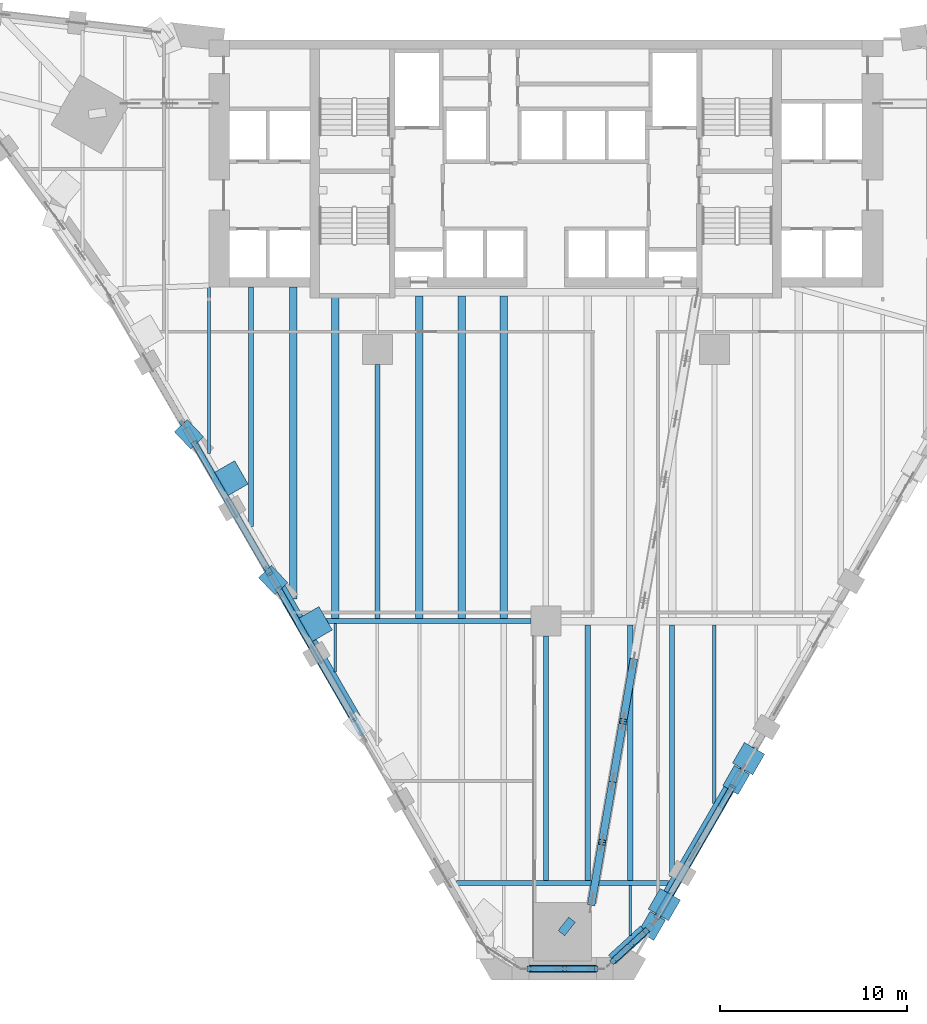
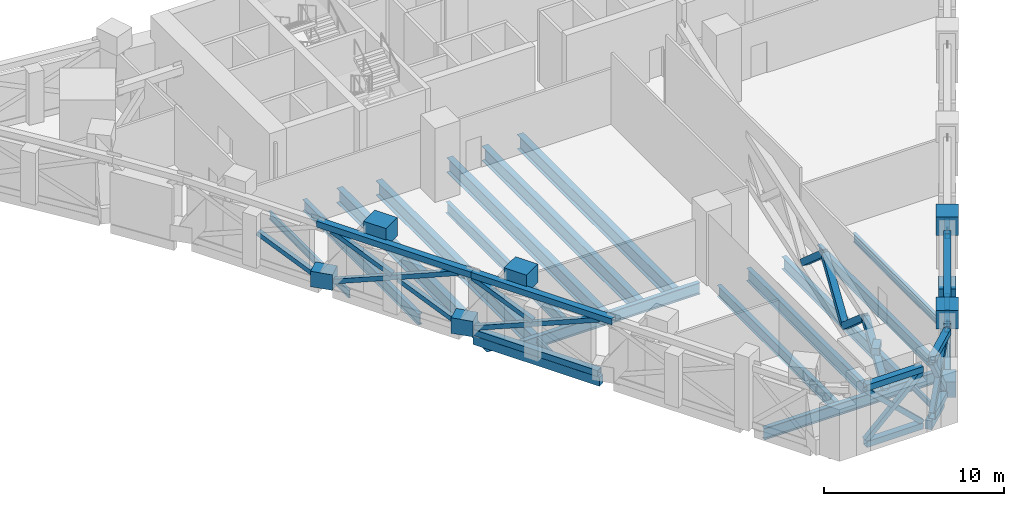
# One storey, part 2 of 22: 29 beams, 29 members.
"""IFC4 building model written with IfcOpenShell, lengths in metres."""

from ifc_helpers import new_model, si_unit, direction, frame, origin, origin_2d, place, context, subcontext, project, spatial, rectangle, hollow_rectangle, i_section, extrude, material, material_profile, profile_set, type_object, element, save


model = new_model("IFC4")

# Units and contexts
model_context = context("Model", 3, precision=1e-05, world=origin(), true_north=direction((0.0, 1.0)))
body_context = subcontext(model_context, "Body", "Model", "MODEL_VIEW")
ifc_project = project(units=[si_unit("LENGTHUNIT", "METRE"), si_unit("AREAUNIT", "SQUARE_METRE"), si_unit("VOLUMEUNIT", "CUBIC_METRE"), si_unit("PLANEANGLEUNIT", "RADIAN"), si_unit("MASSUNIT", "GRAM", prefix="KILO")], contexts=[model_context])

# Site, building, storey
site_placement = place(None, origin())
site = spatial("IfcSite", under=ifc_project, at=site_placement, CompositionType="ELEMENT")
building_placement = place(site_placement, origin())
building = spatial("IfcBuilding", under=site, at=building_placement, Name="Calabash Gate Tower", CompositionType="ELEMENT")
storey_placement = place(building_placement, frame((0.0, 0.0, 86.800048828125)))
storey = spatial("IfcBuildingStorey", under=building, at=storey_placement, Name="L18", CompositionType="ELEMENT", Elevation=86.800048828125)

# Members
ifc_material_1 = material(Name="Steel ASTM A500 Gr C", Category="steel")
ifc_material_profile_1 = material_profile(ifc_material_1, hollow_rectangle(XDim=0.406494140625, YDim=0.406494140625, WallThickness=0.015869140625, at=origin_2d()))
ifc_profile_set_1 = profile_set([ifc_material_profile_1], Name="Steel ASTM A500 Gr C")
member_type_1 = type_object("IfcMemberType", Name="Belt truss chord HSS16X16X.625 ASTM A500 Gr C", PredefinedType="CHORD", material=ifc_profile_set_1)
member_1_placement = place(storey_placement, frame((-19.237060546875, -1.68603515625, 4.02685546875), z_axis=(0.500018169231, -0.86601491352, 0.0), x_axis=(0.86601491352, 0.500018169231, 0.0)))
element("IfcMember", 1, at=member_1_placement, inside=storey, type_object=member_type_1, Name="Belt chord L18 2", PredefinedType="CHORD", context=body_context, shape_type="SweptSolid", body=[
    extrude(hollow_rectangle(XDim=0.406494140625, YDim=0.406494140625, WallThickness=0.015869140625, at=origin_2d()), origin(), (0.0, 0.0, 1.0), 9.909912109375),
])
member_2_placement = place(storey_placement, frame((-14.2841796875, -10.263916015625, 0.203125), z_axis=(0.499999880539, -0.866025472755, 0.0), x_axis=(0.866025472755, 0.499999880539, 0.0)))
element("IfcMember", 2, at=member_2_placement, inside=storey, type_object=member_type_1, Name="Belt chord L18 6", PredefinedType="CHORD", context=body_context, shape_type="SweptSolid", body=[
    extrude(hollow_rectangle(XDim=0.406494140625, YDim=0.406494140625, WallThickness=0.015869140625, at=origin_2d()), origin(), (0.0, 0.0, 1.0), 8.10009765625),
])
member_3_placement = place(storey_placement, frame((-14.2841796875, -10.263916015625, 4.02685546875), z_axis=(0.499950094658, -0.86605421473, 0.0), x_axis=(0.86605421473, 0.499950094658, 0.0)))
element("IfcMember", 3, at=member_3_placement, inside=storey, type_object=member_type_1, Name="Belt chord L18 7", PredefinedType="CHORD", context=body_context, shape_type="SweptSolid", body=[
    extrude(hollow_rectangle(XDim=0.406494140625, YDim=0.406494140625, WallThickness=0.015869140625, at=origin_2d()), origin(), (0.0, 0.0, 1.0), 9.00537109375),
])
for number, where, z_axis, x_axis, name in (
    (4, (-0.905029296875, -30.573974609375, 0.203125), (1.0, 0.0, 0.0), (0.0, 1.0, 0.0), "Belt chord L18 26"),
    (5, (-0.905029296875, -30.573974609375, 4.02685546875), (1.0, 0.0, 0.0), (0.0, 1.0, 0.0), "Belt chord L18 27"),
):
    element("IfcMember", number, at=place(storey_placement, frame(where, z_axis=z_axis, x_axis=x_axis)), inside=storey, type_object=member_type_1, Name=name, PredefinedType="CHORD", context=body_context, shape_type="SweptSolid", body=[
        extrude(hollow_rectangle(XDim=0.406494140625, YDim=0.406494140625, WallThickness=0.015869140625, at=origin_2d()), origin(), (0.0, 0.0, 1.0), 3.60009765625),
    ])
member_4_placement = place(storey_placement, frame((3.594970703125, -30.161865234375, 0.203125), z_axis=(0.737520412128, 0.675324841609, 0.0), x_axis=(-0.675324841609, 0.737520412128, 0.0)))
element("IfcMember", 6, at=member_4_placement, inside=storey, type_object=member_type_1, Name="Belt chord L18 31", PredefinedType="CHORD", context=body_context, shape_type="SweptSolid", body=[
    extrude(hollow_rectangle(XDim=0.406494140625, YDim=0.406494140625, WallThickness=0.015869140625, at=origin_2d()), origin(), (0.0, 0.0, 1.0), 2.378662109375),
])
member_5_placement = place(storey_placement, frame((3.594970703125, -30.161865234375, 4.02685546875), z_axis=(0.737416676867, 0.675438113138, 0.0), x_axis=(-0.675438113138, 0.737416676867, 0.0)))
element("IfcMember", 7, at=member_5_placement, inside=storey, type_object=member_type_1, Name="Belt chord L18 32", PredefinedType="CHORD", context=body_context, shape_type="SweptSolid", body=[
    extrude(hollow_rectangle(XDim=0.406494140625, YDim=0.406494140625, WallThickness=0.015869140625, at=origin_2d()), origin(), (0.0, 0.0, 1.0), 2.85595703125),
])
member_6_placement = place(storey_placement, frame((5.92236328125, -27.84716796875, 0.203125), z_axis=(0.499999880539, 0.866025472755, 0.0), x_axis=(-0.866025472755, 0.499999880539, 0.0)))
element("IfcMember", 8, at=member_6_placement, inside=storey, type_object=member_type_1, Name="Belt chord L18 36", PredefinedType="CHORD", context=body_context, shape_type="SweptSolid", body=[
    extrude(hollow_rectangle(XDim=0.406494140625, YDim=0.406494140625, WallThickness=0.015869140625, at=origin_2d()), origin(), (0.0, 0.0, 1.0), 8.10009765625),
])
member_7_placement = place(storey_placement, frame((5.92236328125, -27.84716796875, 4.02685546875), z_axis=(0.500200361955, 0.865909693848, 0.0), x_axis=(-0.865909693848, 0.500200361955, 0.0)))
element("IfcMember", 9, at=member_7_placement, inside=storey, type_object=member_type_1, Name="Belt chord L18 37", PredefinedType="CHORD", context=body_context, shape_type="SweptSolid", body=[
    extrude(hollow_rectangle(XDim=0.406494140625, YDim=0.406494140625, WallThickness=0.015869140625, at=origin_2d()), origin(), (0.0, 0.0, 1.0), 9.005615234375),
])
ifc_material_2 = material(Name="Steel ASTM A500 Gr C", Category="steel")
ifc_material_profile_2 = material_profile(ifc_material_2, hollow_rectangle(XDim=0.3046875, YDim=0.3046875, WallThickness=0.0126953125, at=origin_2d()))
ifc_profile_set_2 = profile_set([ifc_material_profile_2], Name="Steel ASTM A500 Gr C")
member_type_2 = type_object("IfcMemberType", Name="Belt truss diagonal HSS12X12X.500 ASTM A500 Gr C", PredefinedType="BRACE", material=ifc_profile_set_2)
member_8_placement = place(storey_placement, frame((-18.7841796875, -2.4697265625, 0.40625), z_axis=(0.460681831643, -0.797924592719, 0.388701163272), x_axis=(0.866025472755, 0.499999880539, 0.0)))
element("IfcMember", 10, at=member_8_placement, inside=storey, type_object=member_type_2, Name="Belt diagonal L18 3", PredefinedType="BRACE", context=body_context, shape_type="SweptSolid", body=[
    extrude(hollow_rectangle(XDim=0.3046875, YDim=0.3046875, WallThickness=0.0126953125, at=origin_2d()), origin(), (0.0, 0.0, 1.0), 8.79150390625),
])
for number, where, z_axis, x_axis, name in (
    (11, (-18.7841796875, -2.4697265625, 3.823486328125), (0.460691244837, -0.797936146986, -0.388666286503), (0.866024183959, 0.500002112793, 0.0), "Belt diagonal (split) L18 4 half 1 of 2"),
    (12, (-16.6611328125, -6.14697265625, 2.0322265625), (0.460680793484, -0.797918044814, -0.388715834866), (0.866024183959, 0.500002112793, 0.0), "Belt diagonal (split) L18 5 half 2 of 2"),
):
    element("IfcMember", number, at=place(storey_placement, frame(where, z_axis=z_axis, x_axis=x_axis)), inside=storey, type_object=member_type_2, Name=name, PredefinedType="BRACE", context=body_context, shape_type="SweptSolid", body=[
        extrude(hollow_rectangle(XDim=0.3046875, YDim=0.3046875, WallThickness=0.0126953125, at=origin_2d()), origin(), (0.0, 0.0, 1.0), 4.182861328125),
    ])
member_9_placement = place(storey_placement, frame((-14.2841796875, -10.263916015625, 0.40625), z_axis=(0.460681831643, -0.797924592719, 0.388701163272), x_axis=(0.866025472755, 0.499999880539, 0.0)))
element("IfcMember", 13, at=member_9_placement, inside=storey, type_object=member_type_2, Name="Belt diagonal L18 8", PredefinedType="BRACE", context=body_context, shape_type="SweptSolid", body=[
    extrude(hollow_rectangle(XDim=0.3046875, YDim=0.3046875, WallThickness=0.0126953125, at=origin_2d()), origin(), (0.0, 0.0, 1.0), 8.79150390625),
])
member_10_placement = place(storey_placement, frame((-14.2841796875, -10.263916015625, 3.823486328125), z_axis=(0.460691244837, -0.797936146986, -0.388666286503), x_axis=(0.866024183959, 0.500002112793, 0.0)))
element("IfcMember", 14, at=member_10_placement, inside=storey, type_object=member_type_2, Name="Belt diagonal (split) L18 9 half 1 of 2", PredefinedType="BRACE", context=body_context, shape_type="SweptSolid", body=[
    extrude(hollow_rectangle(XDim=0.3046875, YDim=0.3046875, WallThickness=0.0126953125, at=origin_2d()), origin(), (0.0, 0.0, 1.0), 4.182861328125),
])
member_11_placement = place(storey_placement, frame((-0.905029296875, -30.573974609375, 0.40625), z_axis=(0.725286726516, 0.0, 0.688446921948), x_axis=(0.0, 1.0, 0.0)))
element("IfcMember", 15, at=member_11_placement, inside=storey, type_object=member_type_2, Name="Belt diagonal L18 28", PredefinedType="BRACE", context=body_context, shape_type="SweptSolid", body=[
    extrude(hollow_rectangle(XDim=0.3046875, YDim=0.3046875, WallThickness=0.0126953125, at=origin_2d()), origin(), (0.0, 0.0, 1.0), 4.963623046875),
])
member_12_placement = place(storey_placement, frame((-0.905029296875, -30.573974609375, 3.823486328125), z_axis=(0.725263708059, 0.0, -0.688471171344), x_axis=(0.0, 1.0, 0.0)))
element("IfcMember", 16, at=member_12_placement, inside=storey, type_object=member_type_2, Name="Belt diagonal (split) L18 29 half 1 of 2", PredefinedType="BRACE", context=body_context, shape_type="SweptSolid", body=[
    extrude(hollow_rectangle(XDim=0.3046875, YDim=0.3046875, WallThickness=0.0126953125, at=origin_2d()), origin(), (0.0, 0.0, 1.0), 2.3291015625),
])
member_13_placement = place(storey_placement, frame((1.005615234375, -30.573974609375, 2.010009765625), z_axis=(0.725261053242, 0.0, -0.688473968027), x_axis=(0.0, 1.0, 0.0)))
element("IfcMember", 17, at=member_13_placement, inside=storey, type_object=member_type_2, Name="Belt diagonal (split) L18 30 half 2 of 2", PredefinedType="BRACE", context=body_context, shape_type="SweptSolid", body=[
    extrude(hollow_rectangle(XDim=0.3046875, YDim=0.3046875, WallThickness=0.0126953125, at=origin_2d()), origin(), (0.0, 0.0, 1.0), 2.329345703125),
])
member_14_placement = place(storey_placement, frame((3.594970703125, -30.161865234375, 0.40625), z_axis=(0.421358664134, 0.385825217089, 0.820728809058), x_axis=(-0.675324841609, 0.737520412128, 0.0)))
element("IfcMember", 18, at=member_14_placement, inside=storey, type_object=member_type_2, Name="Belt diagonal L18 33", PredefinedType="BRACE", context=body_context, shape_type="SweptSolid", body=[
    extrude(hollow_rectangle(XDim=0.3046875, YDim=0.3046875, WallThickness=0.0126953125, at=origin_2d()), origin(), (0.0, 0.0, 1.0), 4.16357421875),
])
for number, where, z_axis, x_axis, name in (
    (19, (3.594970703125, -30.161865234375, 3.823486328125), (0.421420235604, 0.385803674792, -0.820707322704), (-0.675250655342, 0.737588335361, 0.0), "Belt diagonal (split) L18 34 half 1 of 2"),
    (20, (4.540771484375, -29.2958984375, 1.981689453125), (0.421271630893, 0.38578407503, -0.820792824322), (-0.675361550628, 0.737486797125, 0.0), "Belt diagonal (split) L18 35 half 2 of 2"),
):
    element("IfcMember", number, at=place(storey_placement, frame(where, z_axis=z_axis, x_axis=x_axis)), inside=storey, type_object=member_type_2, Name=name, PredefinedType="BRACE", context=body_context, shape_type="SweptSolid", body=[
        extrude(hollow_rectangle(XDim=0.3046875, YDim=0.3046875, WallThickness=0.0126953125, at=origin_2d()), origin(), (0.0, 0.0, 1.0), 1.91943359375),
    ])
member_15_placement = place(storey_placement, frame((5.92236328125, -27.84716796875, 0.40625), z_axis=(0.460681831643, 0.797924592719, 0.388701163272), x_axis=(-0.866025472755, 0.499999880539, 0.0)))
element("IfcMember", 21, at=member_15_placement, inside=storey, type_object=member_type_2, Name="Belt diagonal L18 38", PredefinedType="BRACE", context=body_context, shape_type="SweptSolid", body=[
    extrude(hollow_rectangle(XDim=0.3046875, YDim=0.3046875, WallThickness=0.0126953125, at=origin_2d()), origin(), (0.0, 0.0, 1.0), 8.79150390625),
])
for number, where, z_axis, x_axis, name in (
    (22, (5.92236328125, -27.84716796875, 3.823486328125), (0.460691244837, 0.797936146986, -0.388666286503), (-0.866024183959, 0.500002112793, 0.0), "Belt diagonal (split) L18 39 half 1 of 2"),
    (23, (8.04541015625, -24.169921875, 2.0322265625), (0.460680793484, 0.797918044814, -0.388715834866), (-0.866024183959, 0.500002112793, 0.0), "Belt diagonal (split) L18 40 half 2 of 2"),
):
    element("IfcMember", number, at=place(storey_placement, frame(where, z_axis=z_axis, x_axis=x_axis)), inside=storey, type_object=member_type_2, Name=name, PredefinedType="BRACE", context=body_context, shape_type="SweptSolid", body=[
        extrude(hollow_rectangle(XDim=0.3046875, YDim=0.3046875, WallThickness=0.0126953125, at=origin_2d()), origin(), (0.0, 0.0, 1.0), 4.182861328125),
    ])
member_16_placement = place(storey_placement, frame((10.42236328125, -20.052734375, 3.823486328125), z_axis=(0.460712701412, 0.797914940872, -0.388684388535), x_axis=(-0.866008345638, 0.500029544413, 0.0)))
element("IfcMember", 24, at=member_16_placement, inside=storey, type_object=member_type_2, Name="Belt diagonal (split) L18 44 half 1 of 2", PredefinedType="BRACE", context=body_context, shape_type="SweptSolid", body=[
    extrude(hollow_rectangle(XDim=0.3046875, YDim=0.3046875, WallThickness=0.0126953125, at=origin_2d()), origin(), (0.0, 0.0, 1.0), 4.1826171875),
])
member_17_placement = place(storey_placement, frame((-21.1611328125, 1.647216796875, 2.0322265625), z_axis=(0.460680793484, -0.797918044814, -0.388715834866), x_axis=(0.866024183959, 0.500002112793, 0.0)))
element("IfcMember", 25, at=member_17_placement, inside=storey, type_object=member_type_2, Name="Belt diagonal (split) L18 115 half 2 of 2", PredefinedType="BRACE", context=body_context, shape_type="SweptSolid", body=[
    extrude(hollow_rectangle(XDim=0.3046875, YDim=0.3046875, WallThickness=0.0126953125, at=origin_2d()), origin(), (0.0, 0.0, 1.0), 4.182861328125),
])

# Beams
ifc_material_3 = material(Name="Concrete C80/95", Category="concrete")
ifc_material_profile_3 = material_profile(ifc_material_3, rectangle(XDim=0.449951171875, YDim=0.449951171875, at=origin_2d()))
ifc_profile_set_3 = profile_set([ifc_material_profile_3], Name="Concrete C80/95")
beam_type_1 = type_object("IfcBeamType", Name="Column offset link RC 450x450 Concrete C80/95", PredefinedType="BEAM", material=ifc_profile_set_3)
beam_1_placement = place(storey_placement, frame((0.8330078125, -28.674072265625, 4.60400390625), z_axis=(0.618126652956, 0.786078520827, 0.0), x_axis=(-0.786078520827, 0.618126652956, 0.0)))
element("IfcBeam", 26, at=beam_1_placement, inside=storey, type_object=beam_type_1, Name="Column offset link L18 S", PredefinedType="BEAM", context=body_context, shape_type="SweptSolid", body=[
    extrude(rectangle(XDim=0.449951171875, YDim=0.449951171875, at=origin_2d()), origin(), (0.0, 0.0, 1.0), 0.918701171875),
])
ifc_material_4 = material(Name="Concrete C60/75", Category="concrete")
ifc_material_profile_4 = material_profile(ifc_material_4, rectangle(XDim=0.39990234375, YDim=0.60009765625, at=origin_2d()))
ifc_profile_set_4 = profile_set([ifc_material_profile_4], Name="Concrete C60/75")
beam_type_2 = type_object("IfcBeamType", Name="Edge beam RC 400x600 Concrete C60/75", PredefinedType="BEAM", material=ifc_profile_set_4)
beam_2_placement = place(storey_placement, frame((-14.111083984375, -10.1640625, -0.469970703125), z_axis=(0.499999880539, -0.866025472755, 0.0), x_axis=(0.866025472755, 0.499999880539, 0.0)))
element("IfcBeam", 27, at=beam_2_placement, inside=storey, type_object=beam_type_2, Name="Edge beam L18 2", PredefinedType="BEAM", context=body_context, shape_type="SweptSolid", body=[
    extrude(rectangle(XDim=0.39990234375, YDim=0.60009765625, at=origin_2d()), origin(), (0.0, 0.0, 1.0), 8.10009765625),
])
beam_3_placement = place(storey_placement, frame((3.47998046875, -29.99609375, -0.469970703125), z_axis=(0.737416154343, 0.675438683608, 0.0), x_axis=(-0.675438683608, 0.737416154343, 0.0)))
element("IfcBeam", 28, at=beam_3_placement, inside=storey, type_object=beam_type_2, Name="Edge beam L18 6", PredefinedType="BEAM", context=body_context, shape_type="SweptSolid", body=[
    extrude(rectangle(XDim=0.39990234375, YDim=0.60009765625, at=origin_2d()), origin(), (0.0, 0.0, 1.0), 2.320068359375),
])
beam_4_placement = place(storey_placement, frame((5.7490234375, -27.7470703125, -0.469970703125), z_axis=(0.499986829629, 0.866033007568, 0.0), x_axis=(-0.866033007568, 0.499986829629, 0.0)))
element("IfcBeam", 29, at=beam_4_placement, inside=storey, type_object=beam_type_2, Name="Edge beam L18 7", PredefinedType="BEAM", context=body_context, shape_type="SweptSolid", body=[
    extrude(rectangle(XDim=0.39990234375, YDim=0.60009765625, at=origin_2d()), origin(), (0.0, 0.0, 1.0), 8.100341796875),
])
ifc_material_5 = material(Name="Steel ASTM A992 Gr50", Category="steel")
ifc_material_profile_5 = material_profile(ifc_material_5, i_section(OverallWidth=0.1396484375, OverallDepth=0.398681640625, WebThickness=0.00634765625, FlangeThickness=0.0087890625, FilletRadius=0.01025390625, at=origin_2d()))
ifc_profile_set_5 = profile_set([ifc_material_profile_5], Name="Steel ASTM A992 Gr50")
beam_type_3 = type_object("IfcBeamType", Name="Floor beam W16x26 ASTM A992 Gr50", PredefinedType="BEAM", material=ifc_profile_set_5)
beam_5_placement = place(storey_placement, frame((-11.25, -14.73095703125, -0.369140625), z_axis=(0.0, 1.0, 0.0), x_axis=(-1.0, 0.0, 0.0)))
element("IfcBeam", 30, at=beam_5_placement, inside=storey, type_object=beam_type_3, Name="Floor beam L18 13", PredefinedType="BEAM", context=body_context, shape_type="SweptSolid", body=[
    extrude(i_section(OverallWidth=0.1396484375, OverallDepth=0.398681640625, WebThickness=0.00634765625, FlangeThickness=0.0087890625, FilletRadius=0.01025390625, at=origin_2d()), origin(), (0.0, 0.0, 1.0), 2.597900390625),
])
beam_6_placement = place(storey_placement, frame((4.5, -28.802978515625, -0.369140625), z_axis=(0.0, 1.0, 0.0), x_axis=(-1.0, 0.0, 0.0)))
element("IfcBeam", 31, at=beam_6_placement, inside=storey, type_object=beam_type_3, Name="Floor beam L18 29", PredefinedType="BEAM", context=body_context, shape_type="SweptSolid", body=[
    extrude(i_section(OverallWidth=0.1396484375, OverallDepth=0.398681640625, WebThickness=0.00634765625, FlangeThickness=0.0087890625, FilletRadius=0.01025390625, at=origin_2d()), origin(), (0.0, 0.0, 1.0), 2.669921875),
])
ifc_material_6 = material(Name="Steel ASTM A992 Gr50", Category="steel")
ifc_material_profile_6 = material_profile(ifc_material_6, i_section(OverallWidth=0.166015625, OverallDepth=0.5283203125, WebThickness=0.009765625, FlangeThickness=0.013671875, FilletRadius=0.0126953125, at=origin_2d()))
ifc_profile_set_6 = profile_set([ifc_material_profile_6], Name="Steel ASTM A992 Gr50")
beam_type_4 = type_object("IfcBeamType", Name="Floor beam W21x50 ASTM A992 Gr50", PredefinedType="BEAM", material=ifc_profile_set_6)
beam_7_placement = place(storey_placement, frame((-18.0, -3.0400390625, -0.43408203125), z_axis=(0.0, 1.0, 0.0), x_axis=(-1.0, 0.0, 0.0)))
element("IfcBeam", 32, at=beam_7_placement, inside=storey, type_object=beam_type_4, Name="Floor beam L18 10", PredefinedType="BEAM", context=body_context, shape_type="SweptSolid", body=[
    extrude(i_section(OverallWidth=0.166015625, OverallDepth=0.5283203125, WebThickness=0.009765625, FlangeThickness=0.013671875, FilletRadius=0.0126953125, at=origin_2d()), origin(), (0.0, 0.0, 1.0), 8.85302734375),
])
ifc_material_7 = material(Name="Steel ASTM A992 Gr50", Category="steel")
ifc_material_profile_7 = material_profile(ifc_material_7, i_section(OverallWidth=0.1787109375, OverallDepth=0.60205078125, WebThickness=0.010986328125, FlangeThickness=0.014892578125, FilletRadius=0.0126953125, at=origin_2d()))
ifc_profile_set_7 = profile_set([ifc_material_profile_7], Name="Steel ASTM A992 Gr50")
beam_type_5 = type_object("IfcBeamType", Name="Floor beam W24x62 ASTM A992 Gr50", PredefinedType="BEAM", material=ifc_profile_set_7)
beam_8_placement = place(storey_placement, frame((9.0, -21.7490234375, -0.470947265625), z_axis=(0.0, 1.0, 0.0), x_axis=(-1.0, 0.0, 0.0)))
element("IfcBeam", 33, at=beam_8_placement, inside=storey, type_object=beam_type_5, Name="Floor beam L18 34", PredefinedType="BEAM", context=body_context, shape_type="SweptSolid", body=[
    extrude(i_section(OverallWidth=0.1787109375, OverallDepth=0.60205078125, WebThickness=0.010986328125, FlangeThickness=0.014892578125, FilletRadius=0.0126953125, at=origin_2d()), origin(), (0.0, 0.0, 1.0), 9.550048828125),
])
ifc_material_8 = material(Name="Steel ASTM A992 Gr50", Category="steel")
ifc_material_profile_8 = material_profile(ifc_material_8, i_section(OverallWidth=0.2666015625, OverallDepth=0.7568359375, WebThickness=0.013916015625, FlangeThickness=0.019287109375, FilletRadius=0.0166015625, at=origin_2d()))
ifc_profile_set_8 = profile_set([ifc_material_profile_8], Name="Steel ASTM A992 Gr50")
beam_type_6 = type_object("IfcBeamType", Name="Floor beam W30x108 ASTM A992 Gr50", PredefinedType="BEAM", material=ifc_profile_set_8)
beam_9_placement = place(storey_placement, frame((-15.75, -6.95703125, -0.548095703125), z_axis=(0.0, 1.0, 0.0), x_axis=(-1.0, 0.0, 0.0)))
element("IfcBeam", 34, at=beam_9_placement, inside=storey, type_object=beam_type_6, Name="Floor beam L18 11", PredefinedType="BEAM", context=body_context, shape_type="SweptSolid", body=[
    extrude(i_section(OverallWidth=0.2666015625, OverallDepth=0.7568359375, WebThickness=0.013916015625, FlangeThickness=0.019287109375, FilletRadius=0.0166015625, at=origin_2d()), origin(), (0.0, 0.0, 1.0), 12.81005859375),
])
beam_10_placement = place(storey_placement, frame((-9.0, -11.866943359375, -0.548095703125), z_axis=(0.0, 1.0, 0.0), x_axis=(-1.0, 0.0, 0.0)))
element("IfcBeam", 35, at=beam_10_placement, inside=storey, type_object=beam_type_6, Name="Floor beam L18 16", PredefinedType="BEAM", context=body_context, shape_type="SweptSolid", body=[
    extrude(i_section(OverallWidth=0.2666015625, OverallDepth=0.7568359375, WebThickness=0.013916015625, FlangeThickness=0.019287109375, FilletRadius=0.0166015625, at=origin_2d()), origin(), (0.0, 0.0, 1.0), 13.56689453125),
])
beam_11_placement = place(storey_placement, frame((0.0, -25.866943359375, -0.548095703125), z_axis=(0.0, 1.0, 0.0), x_axis=(-1.0, 0.0, 0.0)))
element("IfcBeam", 36, at=beam_11_placement, inside=storey, type_object=beam_type_6, Name="Floor beam L18 25", PredefinedType="BEAM", context=body_context, shape_type="SweptSolid", body=[
    extrude(i_section(OverallWidth=0.2666015625, OverallDepth=0.7568359375, WebThickness=0.013916015625, FlangeThickness=0.019287109375, FilletRadius=0.0166015625, at=origin_2d()), origin(), (0.0, 0.0, 1.0), 13.06689453125),
])
beam_12_placement = place(storey_placement, frame((6.75, -25.64599609375, -0.548095703125), z_axis=(0.0, 1.0, 0.0), x_axis=(-1.0, 0.0, 0.0)))
element("IfcBeam", 37, at=beam_12_placement, inside=storey, type_object=beam_type_6, Name="Floor beam L18 32", PredefinedType="BEAM", context=body_context, shape_type="SweptSolid", body=[
    extrude(i_section(OverallWidth=0.2666015625, OverallDepth=0.7568359375, WebThickness=0.013916015625, FlangeThickness=0.019287109375, FilletRadius=0.0166015625, at=origin_2d()), origin(), (0.0, 0.0, 1.0), 13.447021484375),
])
ifc_material_9 = material(Name="Steel ASTM A992 Gr50", Category="steel")
ifc_material_profile_9 = material_profile(ifc_material_9, i_section(OverallWidth=0.2919921875, OverallDepth=0.845703125, WebThickness=0.015380859375, FlangeThickness=0.0244140625, FilletRadius=0.017822265625, at=origin_2d()))
ifc_profile_set_9 = profile_set([ifc_material_profile_9], Name="Steel ASTM A992 Gr50")
beam_type_7 = type_object("IfcBeamType", Name="Floor beam W33x141 ASTM A992 Gr50", PredefinedType="BEAM", material=ifc_profile_set_9)
for number, where, z_axis, x_axis, name in (
    (38, (2.25, -25.866943359375, -0.593017578125), (0.0, 1.0, 0.0), (-1.0, 0.0, 0.0), "Floor beam L18 27"),
    (39, (4.5, -25.866943359375, -0.593017578125), (0.0, 1.0, 0.0), (-1.0, 0.0, 0.0), "Floor beam L18 30"),
):
    element("IfcBeam", number, at=place(storey_placement, frame(where, z_axis=z_axis, x_axis=x_axis)), inside=storey, type_object=beam_type_7, Name=name, PredefinedType="BEAM", context=body_context, shape_type="SweptSolid", body=[
        extrude(i_section(OverallWidth=0.2919921875, OverallDepth=0.845703125, WebThickness=0.015380859375, FlangeThickness=0.0244140625, FilletRadius=0.017822265625, at=origin_2d()), origin(), (0.0, 0.0, 1.0), 13.66796875),
    ])
ifc_material_10 = material(Name="Steel ASTM A992 Gr50", Category="steel")
ifc_material_profile_10 = material_profile(ifc_material_10, i_section(OverallWidth=0.4013671875, OverallDepth=0.990478515625, WebThickness=0.0166015625, FlangeThickness=0.031005859375, FilletRadius=0.030029296875, at=origin_2d()))
ifc_profile_set_10 = profile_set([ifc_material_profile_10], Name="Steel ASTM A992 Gr50")
beam_type_8 = type_object("IfcBeamType", Name="Floor beam W40x215 ASTM A992 Gr50", PredefinedType="BEAM", material=ifc_profile_set_10)
beam_13_placement = place(storey_placement, frame((-13.5, -10.833984375, -0.6630859375), z_axis=(0.0, 1.0, 0.0), x_axis=(-1.0, 0.0, 0.0)))
element("IfcBeam", 40, at=beam_13_placement, inside=storey, type_object=beam_type_8, Name="Floor beam L18 12", PredefinedType="BEAM", context=body_context, shape_type="SweptSolid", body=[
    extrude(i_section(OverallWidth=0.4013671875, OverallDepth=0.990478515625, WebThickness=0.0166015625, FlangeThickness=0.031005859375, FilletRadius=0.030029296875, at=origin_2d()), origin(), (0.0, 0.0, 1.0), 16.68701171875),
])
beam_14_placement = place(storey_placement, frame((-11.25, -11.866943359375, -0.6630859375), z_axis=(0.0, 1.0, 0.0), x_axis=(-1.0, 0.0, 0.0)))
element("IfcBeam", 41, at=beam_14_placement, inside=storey, type_object=beam_type_8, Name="Floor beam L18 14", PredefinedType="BEAM", context=body_context, shape_type="SweptSolid", body=[
    extrude(i_section(OverallWidth=0.4013671875, OverallDepth=0.990478515625, WebThickness=0.0166015625, FlangeThickness=0.031005859375, FilletRadius=0.030029296875, at=origin_2d()), origin(), (0.0, 0.0, 1.0), 17.27001953125),
])
for number, where, z_axis, x_axis, name in (
    (42, (-6.75, -11.866943359375, -0.6630859375), (0.0, 1.0, 0.0), (-1.0, 0.0, 0.0), "Floor beam L18 19"),
    (43, (-4.5, -11.866943359375, -0.6630859375), (0.0, 1.0, 0.0), (-1.0, 0.0, 0.0), "Floor beam L18 21"),
    (44, (-2.25, -11.866943359375, -0.6630859375), (0.0, 1.0, 0.0), (-1.0, 0.0, 0.0), "Floor beam L18 24"),
):
    element("IfcBeam", number, at=place(storey_placement, frame(where, z_axis=z_axis, x_axis=x_axis)), inside=storey, type_object=beam_type_8, Name=name, PredefinedType="BEAM", context=body_context, shape_type="SweptSolid", body=[
        extrude(i_section(OverallWidth=0.4013671875, OverallDepth=0.990478515625, WebThickness=0.0166015625, FlangeThickness=0.031005859375, FilletRadius=0.030029296875, at=origin_2d()), origin(), (0.0, 0.0, 1.0), 17.218994140625),
    ])
ifc_material_11 = material(Name="Steel ASTM A992 Gr50", Category="steel")
ifc_material_profile_11 = material_profile(ifc_material_11, i_section(OverallWidth=0.2666015625, OverallDepth=0.77978515625, WebThickness=0.0166015625, FlangeThickness=0.030029296875, FilletRadius=0.0166015625, at=origin_2d()))
ifc_profile_set_11 = profile_set([ifc_material_profile_11], Name="Steel ASTM A992 Gr50")
beam_type_9 = type_object("IfcBeamType", Name="Girder W30x148 ASTM A992 Gr50", PredefinedType="BEAM", material=ifc_profile_set_11)
beam_15_placement = place(storey_placement, frame((-12.85205078125, -12.0, -0.56005859375), z_axis=(1.0, 0.0, 0.0), x_axis=(0.0, 1.0, 0.0)))
element("IfcBeam", 45, at=beam_15_placement, inside=storey, type_object=beam_type_9, Name="Girder L18 4", PredefinedType="BEAM", context=body_context, shape_type="SweptSolid", body=[
    extrude(i_section(OverallWidth=0.2666015625, OverallDepth=0.77978515625, WebThickness=0.0166015625, FlangeThickness=0.030029296875, FilletRadius=0.0166015625, at=origin_2d()), origin(), (0.0, 0.0, 1.0), 12.052001953125),
])
beam_16_placement = place(storey_placement, frame((-4.76904296875, -26.0, -0.56005859375), z_axis=(1.0, 0.0, 0.0), x_axis=(0.0, 1.0, 0.0)))
element("IfcBeam", 46, at=beam_16_placement, inside=storey, type_object=beam_type_9, Name="Girder L18 6", PredefinedType="BEAM", context=body_context, shape_type="SweptSolid", body=[
    extrude(i_section(OverallWidth=0.2666015625, OverallDepth=0.77978515625, WebThickness=0.0166015625, FlangeThickness=0.030029296875, FilletRadius=0.0166015625, at=origin_2d()), origin(), (0.0, 0.0, 1.0), 11.328125),
])

# Members
ifc_material_12 = material(Name="Steel ASTM A500 Gr C", Category="steel")
ifc_material_profile_12 = material_profile(ifc_material_12, hollow_rectangle(XDim=0.406494140625, YDim=0.406494140625, WallThickness=0.015869140625, at=origin_2d()))
ifc_profile_set_12 = profile_set([ifc_material_profile_12], Name="Steel ASTM A500 Gr C")
member_type_3 = type_object("IfcMemberType", Name="Outrigger diagonal HSS16X16X.625 ASTM A500 Gr C", PredefinedType="BRACE", material=ifc_profile_set_12)
for number, where, z_axis, x_axis, name in (
    (47, (2.445068359375, -27.045654296875, 0.508056640625), (0.130671166136, 0.75328084008, 0.644587482278), (-0.985285453791, 0.170916864433, 0.0), "Outrigger diagonal L18 S"),
    (48, (3.00537109375, -23.815673828125, 3.27197265625), (0.130732737562, 0.753250603315, -0.644610331856), (-0.985270732188, 0.171001708451, 0.0), "Outrigger diagonal L18 S"),
    (49, (3.56591796875, -20.5859375, 0.508056640625), (0.130732737562, 0.753250603315, 0.644610331856), (-0.985270732188, 0.171001708451, 0.0), "Outrigger diagonal L18 S"),
    (50, (4.12646484375, -17.356201171875, 3.27197265625), (0.130727130637, 0.753275234461, -0.644582685513), (-0.985272909806, 0.170989161067, 0.0), "Outrigger diagonal L18 S"),
):
    element("IfcMember", number, at=place(storey_placement, frame(where, z_axis=z_axis, x_axis=x_axis)), inside=storey, type_object=member_type_3, Name=name, PredefinedType="BRACE", context=body_context, shape_type="SweptSolid", body=[
        extrude(hollow_rectangle(XDim=0.406494140625, YDim=0.406494140625, WallThickness=0.015869140625, at=origin_2d()), origin(), (0.0, 0.0, 1.0), 4.287841796875),
    ])

# Beams
ifc_material_13 = material(Name="Concrete C70/85", Category="concrete")
ifc_material_profile_13 = material_profile(ifc_material_13, rectangle(XDim=1.25, YDim=1.25, at=origin_2d()))
ifc_profile_set_13 = profile_set([ifc_material_profile_13], Name="Concrete C70/85")
beam_type_10 = type_object("IfcBeamType", Name="Transfer node RC 1250x1250 Concrete C70/85", PredefinedType="BEAM", material=ifc_profile_set_13)
beam_17_placement = place(storey_placement, frame((-16.443115234375, -4.993896484375, 4.376953125), z_axis=(-0.499766466091, 0.866160192673, 0.0), x_axis=(-0.866160192673, -0.499766466091, 0.0)))
element("IfcBeam", 51, at=beam_17_placement, inside=storey, type_object=beam_type_10, Name="Transfer node L18 head P01", PredefinedType="BEAM", context=body_context, shape_type="SweptSolid", body=[
    extrude(rectangle(XDim=1.25, YDim=1.25, at=origin_2d()), origin(), (0.0, 0.0, 1.0), 1.440673828125),
])
beam_18_placement = place(storey_placement, frame((-11.943115234375, -12.7880859375, 4.376953125), z_axis=(-0.499986626058, 0.866033125095, 0.0), x_axis=(-0.866033125095, -0.499986626058, 0.0)))
element("IfcBeam", 52, at=beam_18_placement, inside=storey, type_object=beam_type_10, Name="Transfer node L18 head P02", PredefinedType="BEAM", context=body_context, shape_type="SweptSolid", body=[
    extrude(rectangle(XDim=1.25, YDim=1.25, at=origin_2d()), origin(), (0.0, 0.0, 1.0), 1.43994140625),
])
beam_19_placement = place(storey_placement, frame((6.011962890625, -27.693115234375, 4.376953125), z_axis=(0.499922110319, 0.866070368743, 0.0), x_axis=(-0.866070368743, 0.499922110319, 0.0)))
element("IfcBeam", 53, at=beam_19_placement, inside=storey, type_object=beam_type_10, Name="Transfer node L18 head P08", PredefinedType="BEAM", context=body_context, shape_type="SweptSolid", body=[
    extrude(rectangle(XDim=1.25, YDim=1.25, at=origin_2d()), origin(), (0.0, 0.0, 1.0), 1.270263671875),
])
beam_20_placement = place(storey_placement, frame((10.511962890625, -19.89794921875, 4.376953125), z_axis=(0.500338489318, 0.865829888666, 0.0), x_axis=(-0.865829888666, 0.500338489318, 0.0)))
element("IfcBeam", 54, at=beam_20_placement, inside=storey, type_object=beam_type_10, Name="Transfer node L18 head P09", PredefinedType="BEAM", context=body_context, shape_type="SweptSolid", body=[
    extrude(rectangle(XDim=1.25, YDim=1.25, at=origin_2d()), origin(), (0.0, 0.0, 1.0), 1.26904296875),
])
ifc_material_14 = material(Name="Concrete C70/85", Category="concrete")
ifc_material_profile_14 = material_profile(ifc_material_14, rectangle(XDim=0.949951171875, YDim=1.050048828125, at=origin_2d()))
ifc_profile_set_14 = profile_set([ifc_material_profile_14], Name="Concrete C70/85")
beam_type_11 = type_object("IfcBeamType", Name="Transfer node RC 950x1050 Concrete C70/85", PredefinedType="BEAM", material=ifc_profile_set_14)
beam_21_placement = place(storey_placement, frame((-19.4990234375, -1.56396484375, 0.52685546875), z_axis=(0.6887088321, -0.725038029753, 0.0), x_axis=(0.725038029753, 0.6887088321, 0.0)))
element("IfcBeam", 55, at=beam_21_placement, inside=storey, type_object=beam_type_11, Name="Transfer node L18 foot P01", PredefinedType="BEAM", context=body_context, shape_type="SweptSolid", body=[
    extrude(rectangle(XDim=0.949951171875, YDim=1.050048828125, at=origin_2d()), origin(), (0.0, 0.0, 1.0), 1.263427734375),
])
beam_22_placement = place(storey_placement, frame((-14.9990234375, -9.35791015625, 0.52685546875), z_axis=(0.689094921523, -0.72467109031, 0.0), x_axis=(0.72467109031, 0.689094921523, 0.0)))
element("IfcBeam", 56, at=beam_22_placement, inside=storey, type_object=beam_type_11, Name="Transfer node L18 foot P02", PredefinedType="BEAM", context=body_context, shape_type="SweptSolid", body=[
    extrude(rectangle(XDim=0.949951171875, YDim=1.050048828125, at=origin_2d()), origin(), (0.0, 0.0, 1.0), 1.2626953125),
])
beam_23_placement = place(storey_placement, frame((5.35791015625, -28.823974609375, 0.52685546875), z_axis=(0.500625085174, 0.86566420978, 0.0), x_axis=(-0.86566420978, 0.500625085174, 0.0)))
element("IfcBeam", 57, at=beam_23_placement, inside=storey, type_object=beam_type_11, Name="Transfer node L18 foot P08", PredefinedType="BEAM", context=body_context, shape_type="SweptSolid", body=[
    extrude(rectangle(XDim=0.949951171875, YDim=1.050048828125, at=origin_2d()), origin(), (0.0, 0.0, 1.0), 1.24072265625),
])
beam_24_placement = place(storey_placement, frame((9.85791015625, -21.030029296875, 0.52685546875), z_axis=(0.499518460617, 0.866303242233, 0.0), x_axis=(-0.866303242233, 0.499518460617, 0.0)))
element("IfcBeam", 58, at=beam_24_placement, inside=storey, type_object=beam_type_11, Name="Transfer node L18 foot P09", PredefinedType="BEAM", context=body_context, shape_type="SweptSolid", body=[
    extrude(rectangle(XDim=0.949951171875, YDim=1.050048828125, at=origin_2d()), origin(), (0.0, 0.0, 1.0), 1.243408203125),
])

save(model, "model.ifc")
